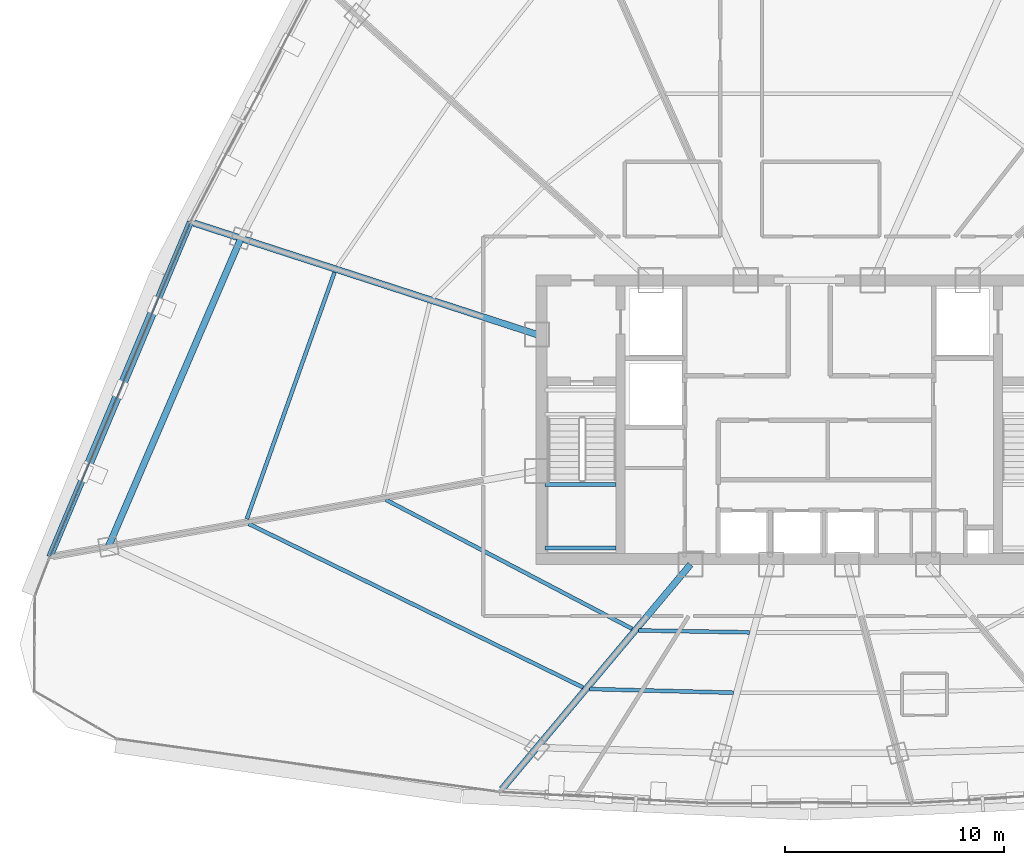
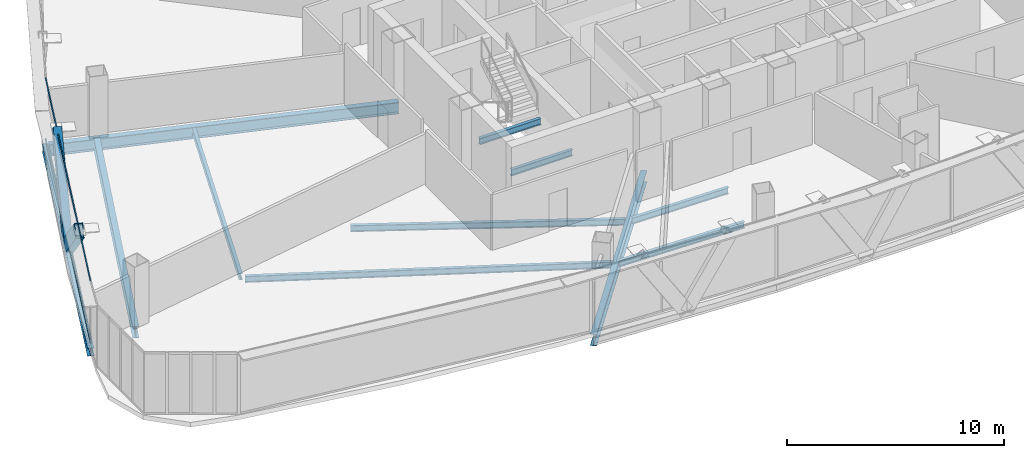
# One storey, part 7 of 36: 11 beams, 4 members, 1 element without a shape of its own.
"""IFC4 building model written with IfcOpenShell, lengths in metres."""

from ifc_helpers import new_model, si_unit, direction, frame, origin, origin_2d, place, context, subcontext, project, spatial, hollow_rectangle, i_section, extrude, source, transform, mapped, material, layer, layer_set, material_profile, profile_set, type_object, element, aggregate, save


model = new_model("IFC4")

# Units and contexts
model_context = context("Model", 3, precision=1e-05, world=origin(), true_north=direction((0.0, 1.0)))
body_context = subcontext(model_context, "Body", "Model", "MODEL_VIEW")
ifc_project = project(units=[si_unit("LENGTHUNIT", "METRE"), si_unit("AREAUNIT", "SQUARE_METRE"), si_unit("VOLUMEUNIT", "CUBIC_METRE"), si_unit("PLANEANGLEUNIT", "RADIAN"), si_unit("MASSUNIT", "GRAM", prefix="KILO"), si_unit("THERMODYNAMICTEMPERATUREUNIT", "KELVIN"), si_unit("POWERUNIT", "WATT")], contexts=[model_context])

# Site, building, storey
site_placement = place(None, origin())
site = spatial("IfcSite", under=ifc_project, at=site_placement, CompositionType="ELEMENT")
building_placement = place(site_placement, origin())
building = spatial("IfcBuilding", under=site, at=building_placement, Name="Yunzhuo Pagoda Commons", CompositionType="ELEMENT")
storey_placement = place(building_placement, frame((0.0, 0.0, 248.260009765625)))
storey = spatial("IfcBuildingStorey", under=building, at=storey_placement, Name="L62", CompositionType="ELEMENT", Elevation=248.260009765625)

# Beams
ifc_material_1 = material(Name="Structural steel Q355B", Category="steel")
ifc_material_profile_1 = material_profile(ifc_material_1, i_section(OverallWidth=0.175048828125, OverallDepth=0.35009765625, WebThickness=0.007080078125, FlangeThickness=0.010986328125, at=origin_2d()), Name="Structural steel Q355B")
ifc_profile_set_1 = profile_set([ifc_material_profile_1], Name="Structural steel Q355B")
beam_type_1 = type_object("IfcBeamType", Name="B-JS2 Joist HN 350x175x7x11", PredefinedType="JOIST", material=ifc_profile_set_1)
shared_shape_1 = source(origin(), body_context, "Body", "SweptSolid", [
    extrude(i_section(OverallWidth=0.175048828125, OverallDepth=0.35009765625, WebThickness=0.007080078125, FlangeThickness=0.010986328125, at=origin_2d()), origin(), (0.0, 0.0, 1.0), 3.25),
])
for number, where, z_axis, x_axis, name in (
    (1, (35.949951171875, 28.0, 1.489990234375), (1.0, 0.0, 0.0), (0.0, 1.0, 0.0), "L62 ST1 landing support beam 68A"),
    (2, (35.949951171875, 30.89990234375, 1.489990234375), (1.0, 0.0, 0.0), (0.0, 1.0, 0.0), "L62 ST1 landing support beam 68B"),
):
    element("IfcBeam", number, at=place(storey_placement, frame(where, z_axis=z_axis, x_axis=x_axis)), inside=storey, type_object=beam_type_1, Name=name, PredefinedType="JOIST", context=body_context, shape_type="MappedRepresentation", body=[
        mapped(shared_shape_1, transform((0.0, 0.0, 0.0), scale=1.0)),
    ])
ifc_material_profile_2 = material_profile(ifc_material_1, i_section(OverallWidth=0.300048828125, OverallDepth=0.64990234375, WebThickness=0.012939453125, FlangeThickness=0.02197265625, at=origin_2d()), Name="Structural steel Q355B")
ifc_profile_set_2 = profile_set([ifc_material_profile_2], Name="Structural steel Q355B")
beam_type_2 = type_object("IfcBeamType", Name="B-RG2 Beam HN 650x300x13x22", PredefinedType="BEAM", material=ifc_profile_set_2)
shared_shape_2 = source(origin(), body_context, "Body", "SweptSolid", [
    extrude(i_section(OverallWidth=0.300048828125, OverallDepth=0.64990234375, WebThickness=0.012939453125, FlangeThickness=0.02197265625, at=origin_2d()), origin(), (0.0, 0.0, 1.0), 15.287841796875),
])
beam_1_placement = place(storey_placement, frame((22.101806640625, 42.114990234375, -0.5849609375), z_axis=(-0.394815333819, -0.918760497726, 0.0), x_axis=(0.918760497726, -0.394815333819, 0.0)))
element("IfcBeam", 3, at=beam_1_placement, inside=storey, type_object=beam_type_2, Name="L62 column-ring beam 11", PredefinedType="BEAM", context=body_context, shape_type="MappedRepresentation", body=[
    mapped(shared_shape_2, transform((0.0, 0.0, 0.0), scale=1.0)),
])
shared_shape_3 = source(origin(), body_context, "Body", "SweptSolid", [
    extrude(i_section(OverallWidth=0.175048828125, OverallDepth=0.35009765625, WebThickness=0.007080078125, FlangeThickness=0.010986328125, at=origin_2d()), origin(), (0.0, 0.0, 1.0), 5.0556640625),
])
beam_2_placement = place(storey_placement, frame((40.228515625, 24.24609375, -0.43505859375), z_axis=(0.999848878561, -0.017384477, 0.0), x_axis=(0.017384477, 0.999848878561, 0.0)))
element("IfcBeam", 4, at=beam_2_placement, inside=storey, type_object=beam_type_1, Name="L62 composite ring joist 1.1", PredefinedType="JOIST", context=body_context, shape_type="MappedRepresentation", body=[
    mapped(shared_shape_3, transform((0.0, 0.0, 0.0), scale=1.0)),
])
shared_shape_4 = source(origin(), body_context, "Body", "SweptSolid", [
    extrude(i_section(OverallWidth=0.175048828125, OverallDepth=0.35009765625, WebThickness=0.007080078125, FlangeThickness=0.010986328125, at=origin_2d()), origin(), (0.0, 0.0, 1.0), 6.558349609375),
])
beam_3_placement = place(storey_placement, frame((37.990234375, 21.577392578125, -0.43505859375), z_axis=(0.99966910323, -0.025723220017, 0.0), x_axis=(0.025723220017, 0.99966910323, 0.0)))
element("IfcBeam", 5, at=beam_3_placement, inside=storey, type_object=beam_type_1, Name="L62 composite ring joist 2.1", PredefinedType="JOIST", context=body_context, shape_type="MappedRepresentation", body=[
    mapped(shared_shape_4, transform((0.0, 0.0, 0.0), scale=1.0)),
])
shared_shape_5 = source(origin(), body_context, "Body", "SweptSolid", [
    extrude(i_section(OverallWidth=0.175048828125, OverallDepth=0.35009765625, WebThickness=0.007080078125, FlangeThickness=0.010986328125, at=origin_2d()), origin(), (0.0, 0.0, 1.0), 12.666259765625),
])
beam_4_placement = place(storey_placement, frame((28.70849609375, 30.19970703125, -0.43505859375), z_axis=(0.885841344078, -0.463988268302, 0.0), x_axis=(0.463988268302, 0.885841344078, 0.0)))
element("IfcBeam", 6, at=beam_4_placement, inside=storey, type_object=beam_type_1, Name="L62 composite ring joist 1.12", PredefinedType="JOIST", context=body_context, shape_type="MappedRepresentation", body=[
    mapped(shared_shape_5, transform((0.0, 0.0, 0.0), scale=1.0)),
])
shared_shape_6 = source(origin(), body_context, "Body", "SweptSolid", [
    extrude(i_section(OverallWidth=0.175048828125, OverallDepth=0.35009765625, WebThickness=0.007080078125, FlangeThickness=0.010986328125, at=origin_2d()), origin(), (0.0, 0.0, 1.0), 16.95361328125),
])
beam_5_placement = place(storey_placement, frame((22.459716796875, 29.101806640625, -0.43505859375), z_axis=(0.898261717675, -0.439460904473, 0.0), x_axis=(0.439460904473, 0.898261717675, 0.0)))
element("IfcBeam", 7, at=beam_5_placement, inside=storey, type_object=beam_type_1, Name="L62 composite ring joist 2.12", PredefinedType="JOIST", context=body_context, shape_type="MappedRepresentation", body=[
    mapped(shared_shape_6, transform((0.0, 0.0, 0.0), scale=1.0)),
])
shared_shape_7 = source(origin(), body_context, "Body", "SweptSolid", [
    extrude(i_section(OverallWidth=0.175048828125, OverallDepth=0.35009765625, WebThickness=0.007080078125, FlangeThickness=0.010986328125, at=origin_2d()), origin(), (0.0, 0.0, 1.0), 11.929931640625),
])
beam_6_placement = place(storey_placement, frame((26.36767578125, 40.5615234375, -0.43505859375), z_axis=(-0.335086374925, -0.942187413066, 0.0), x_axis=(0.942187413066, -0.335086374925, 0.0)))
element("IfcBeam", 8, at=beam_6_placement, inside=storey, type_object=beam_type_1, Name="L62 composite ring joist 2.11", PredefinedType="JOIST", context=body_context, shape_type="MappedRepresentation", body=[
    mapped(shared_shape_7, transform((0.0, 0.0, 0.0), scale=1.0)),
])
shared_shape_8 = source(origin(), body_context, "Body", "SweptSolid", [
    extrude(i_section(OverallWidth=0.300048828125, OverallDepth=0.64990234375, WebThickness=0.012939453125, FlangeThickness=0.02197265625, at=origin_2d()), origin(), (0.0, 0.0, 1.0), 13.375),
])
beam_7_placement = place(storey_placement, frame((33.99072265625, 17.00390625, -0.5849609375), z_axis=(0.6427733277, 0.766056426902, 0.0), x_axis=(-0.766056426902, 0.6427733277, 0.0)))
element("IfcBeam", 9, at=beam_7_placement, inside=storey, type_object=beam_type_2, Name="L62 radial floor girder F1C1", PredefinedType="BEAM", context=body_context, shape_type="MappedRepresentation", body=[
    mapped(shared_shape_8, transform((0.0, 0.0, 0.0), scale=1.0)),
])
shared_shape_9 = source(origin(), body_context, "Body", "SweptSolid", [
    extrude(i_section(OverallWidth=0.300048828125, OverallDepth=0.64990234375, WebThickness=0.012939453125, FlangeThickness=0.02197265625, at=origin_2d()), origin(), (0.0, 0.0, 1.0), 16.453125),
])
beam_8_placement = place(storey_placement, frame((19.9521484375, 42.813232421875, -0.5849609375), z_axis=(0.951058273777, -0.30901158535, 0.0), x_axis=(0.30901158535, 0.951058273777, 0.0)))
element("IfcBeam", 10, at=beam_8_placement, inside=storey, type_object=beam_type_2, Name="L62 radial floor girder F3C3", PredefinedType="BEAM", context=body_context, shape_type="MappedRepresentation", body=[
    mapped(shared_shape_9, transform((0.0, 0.0, 0.0), scale=1.0)),
])
ifc_material_profile_3 = material_profile(ifc_material_1, i_section(OverallWidth=0.300048828125, OverallDepth=0.43994140625, WebThickness=0.010986328125, FlangeThickness=0.01806640625, at=origin_2d()), Name="Structural steel Q355B")
ifc_profile_set_3 = profile_set([ifc_material_profile_3], Name="Structural steel Q355B")
beam_type_3 = type_object("IfcBeamType", Name="B-SP2 Beam HM 440x300x11x18", PredefinedType="BEAM", material=ifc_profile_set_3)
shared_shape_10 = source(origin(), body_context, "Body", "SweptSolid", [
    extrude(i_section(OverallWidth=0.300048828125, OverallDepth=0.43994140625, WebThickness=0.010986328125, FlangeThickness=0.01806640625, at=origin_2d()), origin(), (0.0, 0.0, 1.0), 16.553955078125),
])
beam_9_placement = place(storey_placement, frame((19.804931640625, 42.861083984375, -0.47998046875), z_axis=(-0.38718584709, -0.922001691871, 0.0), x_axis=(0.922001691871, -0.38718584709, 0.0)))
element("IfcBeam", 11, at=beam_9_placement, inside=storey, type_object=beam_type_3, Name="L62 facade edge spandrel beam F3.3", PredefinedType="BEAM", context=body_context, shape_type="MappedRepresentation", body=[
    mapped(shared_shape_10, transform((0.0, 0.0, 0.0), scale=1.0)),
])

# Members
ifc_material_profile_4 = material_profile(ifc_material_1, hollow_rectangle(XDim=0.39990234375, YDim=0.719970703125, WallThickness=0.02392578125, at=origin_2d()), Name="Structural steel Q355B")
ifc_profile_set_4 = profile_set([ifc_material_profile_4], Name="Structural steel Q355B")
member_type_1 = type_object("IfcMemberType", Name="M-DL2 Brace BOX 720x400x24", PredefinedType="BRACE", material=ifc_profile_set_4)
shared_shape_11 = source(origin(), body_context, "Body", "SweptSolid", [
    extrude(hollow_rectangle(XDim=0.39990234375, YDim=0.719970703125, WallThickness=0.02392578125, at=origin_2d()), origin(), (0.0, 0.0, 1.0), 5.571533203125),
])
member_1_placement = place(storey_placement, frame((16.60009765625, 35.229736328125, -0.260009765625), z_axis=(0.287589195422, 0.684859292283, 0.669522370388), x_axis=(-0.922006956735, 0.387173309684, 0.0)))
element("IfcMember", 12, at=member_1_placement, inside=storey, type_object=member_type_1, Name="L62 facade diamond brace F3.3L", PredefinedType="BRACE", context=body_context, shape_type="MappedRepresentation", body=[
    mapped(shared_shape_11, transform((0.0, 0.0, 0.0), scale=1.0)),
])
shared_shape_12 = source(origin(), body_context, "Body", "SweptSolid", [
    extrude(hollow_rectangle(XDim=0.39990234375, YDim=0.719970703125, WallThickness=0.02392578125, at=origin_2d()), origin(), (0.0, 0.0, 1.0), 5.5712890625),
])
member_2_placement = place(storey_placement, frame((16.60009765625, 35.229736328125, -0.260009765625), z_axis=(-0.287597826196, -0.684836024347, 0.669542463271), x_axis=(0.921998112724, -0.387194369965, 0.0)))
element("IfcMember", 13, at=member_2_placement, inside=storey, type_object=member_type_1, Name="L62 facade diamond brace F3.3R", PredefinedType="BRACE", context=body_context, shape_type="MappedRepresentation", body=[
    mapped(shared_shape_12, transform((0.0, 0.0, 0.0), scale=1.0)),
])

# Curtain wall, members
ifc_material_2 = material(Name="Anodized aluminium 6063-T6", Category="aluminium")
ifc_layer = layer(ifc_material_2, 0.139892578125)
ifc_layer_set = layer_set([ifc_layer], Name="Anodized aluminium 6063-T6")
curtain_wall_type = type_object("IfcCurtainWallType", Name="CW-HI High-Zone Ribbon Curtain Wall", PredefinedType="NOTDEFINED", material=ifc_layer_set)
curtain_wall_placement = place(storey_placement, origin())
curtain_wall = element("IfcCurtainWall", 14, at=curtain_wall_placement, inside=storey, type_object=curtain_wall_type, Name="L62 curtain wall CW-L62-F3B4", PredefinedType="NOTDEFINED")
ifc_material_profile_5 = material_profile(ifc_material_2, hollow_rectangle(XDim=0.054931640625, YDim=0.1201171875, WallThickness=0.00341796875, at=origin_2d()), Name="Anodized aluminium 6063-T6")
ifc_profile_set_5 = profile_set([ifc_material_profile_5], Name="Anodized aluminium 6063-T6")
member_type_2 = type_object("IfcMemberType", Name="CW-HI-T Transom RHS 120x55x3.5", PredefinedType="USERDEFINED", material=ifc_profile_set_5)
shared_shape_13 = source(origin(), body_context, "Body", "SweptSolid", [
    extrude(hollow_rectangle(XDim=0.054931640625, YDim=0.1201171875, WallThickness=0.00341796875, at=origin_2d()), origin(), (0.0, 0.0, 1.0), 16.433837890625),
])
member_3_placement = place(storey_placement, frame((19.781494140625, 42.805908203125, 0.027587890625), z_axis=(-0.38717616129, -0.922005759271, 0.0), x_axis=(0.922005759271, -0.38717616129, 0.0)))
member_3 = element("IfcMember", 15, at=member_3_placement, type_object=member_type_2, Name="CW transom 1.1", ObjectType="TRANSOM", PredefinedType="USERDEFINED", context=body_context, shape_type="MappedRepresentation", body=[
    mapped(shared_shape_13, transform((0.0, 0.0, 0.0), scale=1.0)),
])
member_4_placement = place(storey_placement, frame((19.781494140625, 42.805908203125, 3.4423828125), z_axis=(-0.38717616129, -0.922005759271, 0.0), x_axis=(0.922005759271, -0.38717616129, 0.0)))
member_4 = element("IfcMember", 16, at=member_4_placement, type_object=member_type_2, Name="CW transom 1.2", ObjectType="TRANSOM", PredefinedType="USERDEFINED", context=body_context, shape_type="MappedRepresentation", body=[
    mapped(shared_shape_13, transform((0.0, 0.0, 0.0), scale=1.0)),
])
aggregate(curtain_wall, [member_3, member_4])

save(model, "model.ifc")
